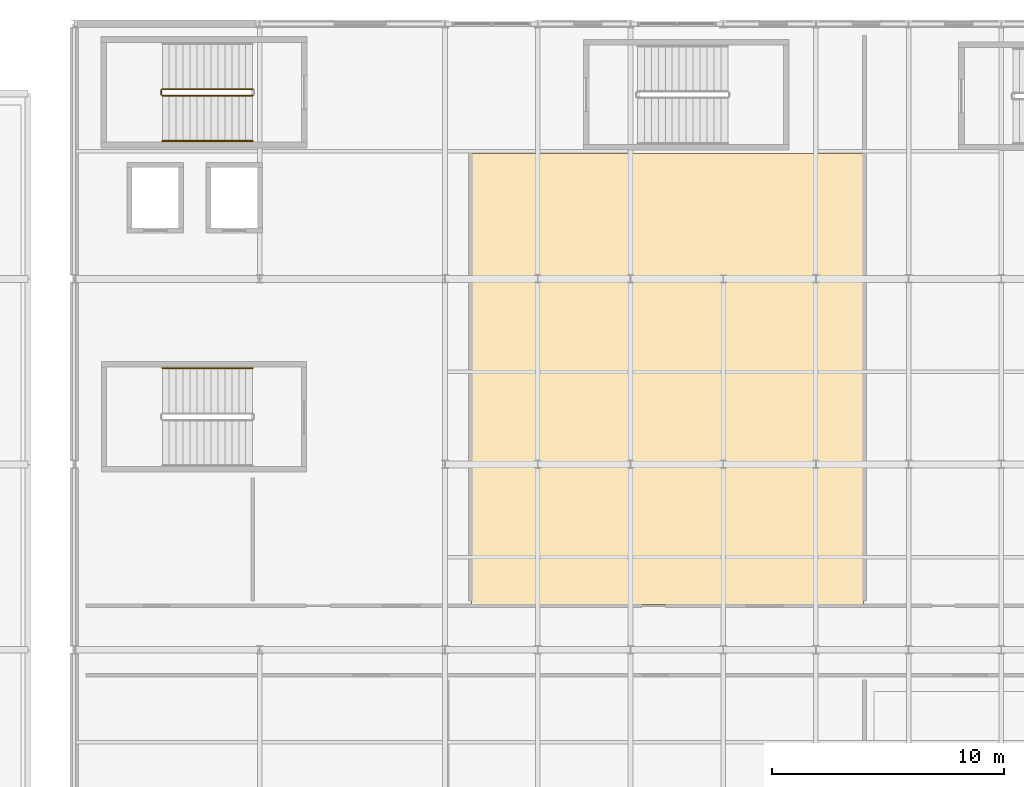
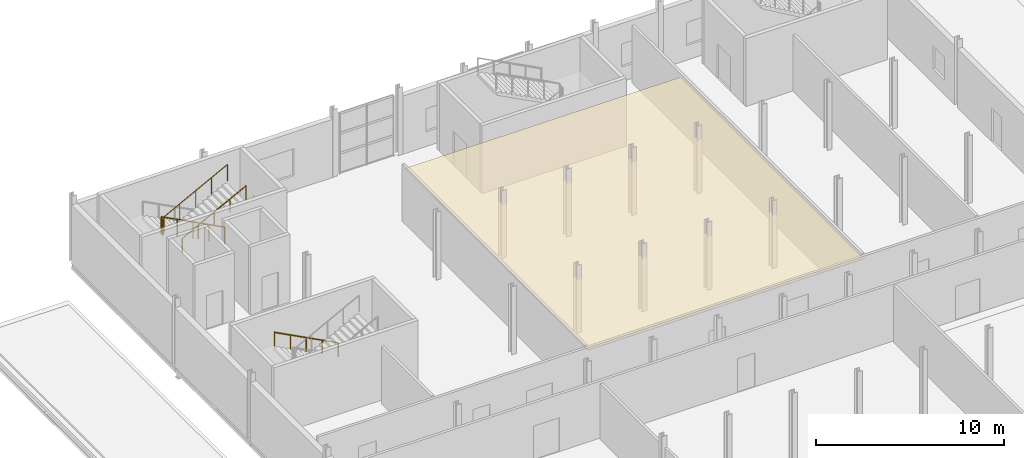
# One storey, part 149 of 153: 5 railings, 1 covering.
"""IFC4 building model written with IfcOpenShell, lengths in metres."""

from ifc_helpers import new_model, si_unit, derived_unit, direction, frame, origin, origin_2d, place, context, subcontext, project, spatial, polyline, circle, outline, extrude, material, layer, layer_set, type_object, element, save


model = new_model("IFC4")

# Units and contexts
model_context = context("Model", 3, precision=1e-05, world=origin(), true_north=direction((0.0, 1.0)))
body_context = subcontext(model_context, "Body", "Model", "MODEL_VIEW")
ifc_project = project(units=[si_unit("LENGTHUNIT", "METRE"), si_unit("AREAUNIT", "SQUARE_METRE"), si_unit("VOLUMEUNIT", "CUBIC_METRE"), si_unit("PLANEANGLEUNIT", "RADIAN"), si_unit("MASSUNIT", "GRAM", prefix="KILO"), derived_unit("THERMALTRANSMITTANCEUNIT", [(si_unit("POWERUNIT", "WATT"), 1), (si_unit("LENGTHUNIT", "METRE"), -2), (si_unit("THERMODYNAMICTEMPERATUREUNIT", "KELVIN"), -1)])], contexts=[model_context])

# Site, building, storey
site_placement = place(None, origin())
site = spatial("IfcSite", under=ifc_project, at=site_placement, CompositionType="ELEMENT")
building_placement = place(site_placement, origin())
building = spatial("IfcBuilding", under=site, at=building_placement, Name="Keldorne Ridge Multi-Sports Centre", CompositionType="ELEMENT")
storey_placement = place(building_placement, frame((0.0, 0.0, 9.60009765625)))
storey = spatial("IfcBuildingStorey", under=building, at=storey_placement, Name="L02", CompositionType="ELEMENT", Elevation=9.60009765625)

# Covering
ifc_material_1 = material(Name="Perforated acoustic mineral ceiling")
ifc_layer = layer(ifc_material_1, 0.0400390625)
ifc_layer_set = layer_set([ifc_layer])
covering_type = type_object("IfcCoveringType", Name="COV-CL-01", PredefinedType="CEILING", material=ifc_layer_set)
covering_placement = place(storey_placement, frame((0.0, 0.0, 3.39990234375)))
element("IfcCovering", 1, at=covering_placement, inside=storey, type_object=covering_type, Name="Sports Medicine Clinic acoustic ceiling", PredefinedType="CEILING", context=body_context, shape_type="SweptSolid", body=[
    extrude(outline(polyline([(121.14990234375, 91.949951171875), (138.050048828125, 91.949951171875), (138.050048828125, 111.39990234375), (121.14990234375, 111.39990234375), (121.14990234375, 91.949951171875)])), origin(), (0.0, 0.0, 1.0), 0.0400390625),
])

# Railings
ifc_material_2 = material(Name="Laminated glass and stainless steel", Category="steel")
railing_type_1 = type_object("IfcRailingType", Name="RLG-BL-01", PredefinedType="BALUSTRADE", material=ifc_material_2)
railing_1_placement = place(storey_placement, frame((111.699951171875, 114.18994140625, 0.156982421875)))
element("IfcRailing", 2, at=railing_1_placement, inside=storey, type_object=railing_type_1, Name="L02 ST-01 stair guard 1", PredefinedType="BALUSTRADE", context=body_context, shape_type="SweptSolid", body=[
    extrude(circle(Radius=0.02392578125, at=origin_2d()), frame((0.0, 0.0, 1.076171875), z_axis=(-0.885816339326, 0.0, 0.464036003974), x_axis=(0.0, -1.0, 0.0)), (0.0, 0.0, 1.0), 4.402587890625),
    extrude(circle(Radius=0.02099609375, at=origin_2d()), origin(), (0.0, 0.0, 1.0), 1.052001953125),
    extrude(circle(Radius=0.02099609375, at=origin_2d()), frame((-0.97509765625, 0.0, 0.5107421875)), (0.0, 0.0, 1.0), 1.052001953125),
    extrude(circle(Radius=0.02099609375, at=origin_2d()), frame((-1.949951171875, 0.0, 1.021484375)), (0.0, 0.0, 1.0), 1.052001953125),
    extrude(circle(Radius=0.02099609375, at=origin_2d()), frame((-2.9248046875, 0.0, 1.5322265625)), (0.0, 0.0, 1.0), 1.052001953125),
    extrude(circle(Radius=0.02099609375, at=origin_2d()), frame((-3.89990234375, 0.0, 2.04296875)), (0.0, 0.0, 1.0), 1.052001953125),
])
railing_2_placement = place(storey_placement, frame((107.75, 114.139892578125, 2.199951171875)))
element("IfcRailing", 3, at=railing_2_placement, inside=storey, type_object=railing_type_1, Name="L02 ST-01 stair guard 2", PredefinedType="BALUSTRADE", context=body_context, shape_type="SweptSolid", body=[
    extrude(circle(Radius=0.02392578125, at=origin_2d()), frame((0.0, 0.0, 1.076171875), z_axis=(0.0, -1.0, 0.0), x_axis=(1.0, 0.0, 0.0)), (0.0, 0.0, 1.0), 0.179931640625),
    extrude(circle(Radius=0.02099609375, at=origin_2d()), origin(), (0.0, 0.0, 1.0), 1.052001953125),
    extrude(circle(Radius=0.02099609375, at=origin_2d()), frame((0.0, -0.179931640625, 0.0)), (0.0, 0.0, 1.0), 1.052001953125),
])
railing_3_placement = place(storey_placement, frame((107.800048828125, 113.909912109375, 2.35693359375)))
element("IfcRailing", 4, at=railing_3_placement, inside=storey, type_object=railing_type_1, Name="L02 ST-01 stair guard 3", PredefinedType="BALUSTRADE", context=body_context, shape_type="SweptSolid", body=[
    extrude(circle(Radius=0.02392578125, at=origin_2d()), frame((0.0, 0.0, 1.076171875), z_axis=(0.885816339326, 0.0, 0.464036003974), x_axis=(0.0, 1.0, 0.0)), (0.0, 0.0, 1.0), 4.402587890625),
    extrude(circle(Radius=0.02099609375, at=origin_2d()), origin(), (0.0, 0.0, 1.0), 1.052001953125),
    extrude(circle(Radius=0.02099609375, at=origin_2d()), frame((0.97509765625, 0.0, 0.5107421875)), (0.0, 0.0, 1.0), 1.052001953125),
    extrude(circle(Radius=0.02099609375, at=origin_2d()), frame((1.949951171875, 0.0, 1.021484375)), (0.0, 0.0, 1.0), 1.052001953125),
    extrude(circle(Radius=0.02099609375, at=origin_2d()), frame((2.9248046875, 0.0, 1.5322265625)), (0.0, 0.0, 1.0), 1.052001953125),
    extrude(circle(Radius=0.02099609375, at=origin_2d()), frame((3.89990234375, 0.0, 2.04296875)), (0.0, 0.0, 1.0), 1.052001953125),
])
ifc_material_3 = material(Name="Stainless steel", Category="steel")
railing_type_2 = type_object("IfcRailingType", Name="RLG-HR-01", PredefinedType="HANDRAIL", material=ifc_material_3)
railing_4_placement = place(storey_placement, frame((107.800048828125, 111.949951171875, 2.35693359375)))
element("IfcRailing", 5, at=railing_4_placement, inside=storey, type_object=railing_type_2, Name="L02 ST-01 stair handrail 2", PredefinedType="HANDRAIL", context=body_context, shape_type="SweptSolid", body=[
    extrude(circle(Radius=0.02392578125, at=origin_2d()), frame((0.0, 0.0, 0.8759765625), z_axis=(0.885816339326, 0.0, 0.464036003974), x_axis=(0.0, 1.0, 0.0)), (0.0, 0.0, 1.0), 4.402587890625),
    extrude(circle(Radius=0.02099609375, at=origin_2d()), origin(), (0.0, 0.0, 1.0), 0.851806640625),
    extrude(circle(Radius=0.02099609375, at=origin_2d()), frame((0.97509765625, 0.0, 0.5107421875)), (0.0, 0.0, 1.0), 0.851806640625),
    extrude(circle(Radius=0.02099609375, at=origin_2d()), frame((1.949951171875, 0.0, 1.021484375)), (0.0, 0.0, 1.0), 0.851806640625),
    extrude(circle(Radius=0.02099609375, at=origin_2d()), frame((2.9248046875, 0.0, 1.5322265625)), (0.0, 0.0, 1.0), 0.851806640625),
    extrude(circle(Radius=0.02099609375, at=origin_2d()), frame((3.89990234375, 0.0, 2.04296875)), (0.0, 0.0, 1.0), 0.851806640625),
])
railing_5_placement = place(storey_placement, frame((111.699951171875, 102.14990234375, 0.156982421875)))
element("IfcRailing", 6, at=railing_5_placement, inside=storey, type_object=railing_type_2, Name="L02 ST-11 stair handrail 1", PredefinedType="HANDRAIL", context=body_context, shape_type="SweptSolid", body=[
    extrude(circle(Radius=0.02392578125, at=origin_2d()), frame((0.0, 0.0, 0.8759765625), z_axis=(-0.885816339326, 0.0, 0.464036003974), x_axis=(0.0, -1.0, 0.0)), (0.0, 0.0, 1.0), 4.402587890625),
    extrude(circle(Radius=0.02099609375, at=origin_2d()), origin(), (0.0, 0.0, 1.0), 0.851806640625),
    extrude(circle(Radius=0.02099609375, at=origin_2d()), frame((-0.97509765625, 0.0, 0.5107421875)), (0.0, 0.0, 1.0), 0.851806640625),
    extrude(circle(Radius=0.02099609375, at=origin_2d()), frame((-1.949951171875, 0.0, 1.021484375)), (0.0, 0.0, 1.0), 0.851806640625),
    extrude(circle(Radius=0.02099609375, at=origin_2d()), frame((-2.9248046875, 0.0, 1.5322265625)), (0.0, 0.0, 1.0), 0.851806640625),
    extrude(circle(Radius=0.02099609375, at=origin_2d()), frame((-3.89990234375, 0.0, 2.04296875)), (0.0, 0.0, 1.0), 0.851806640625),
])

save(model, "model.ifc")
